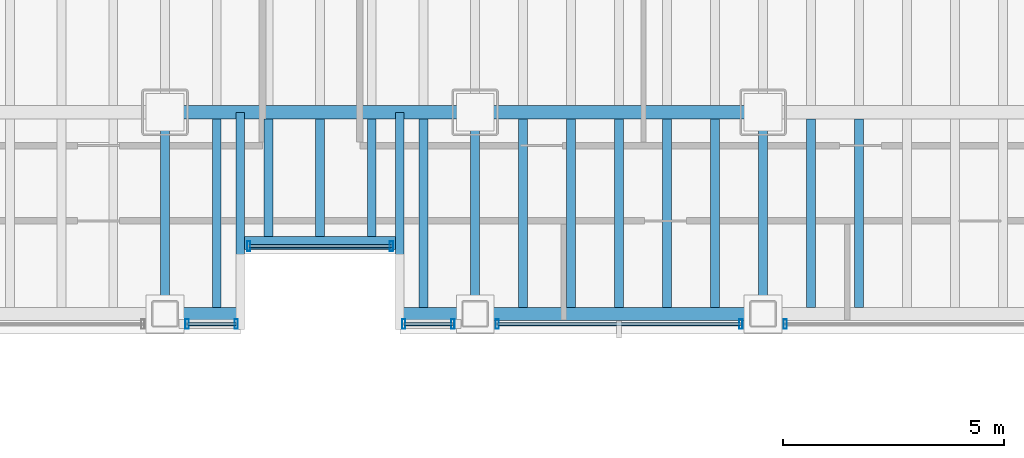
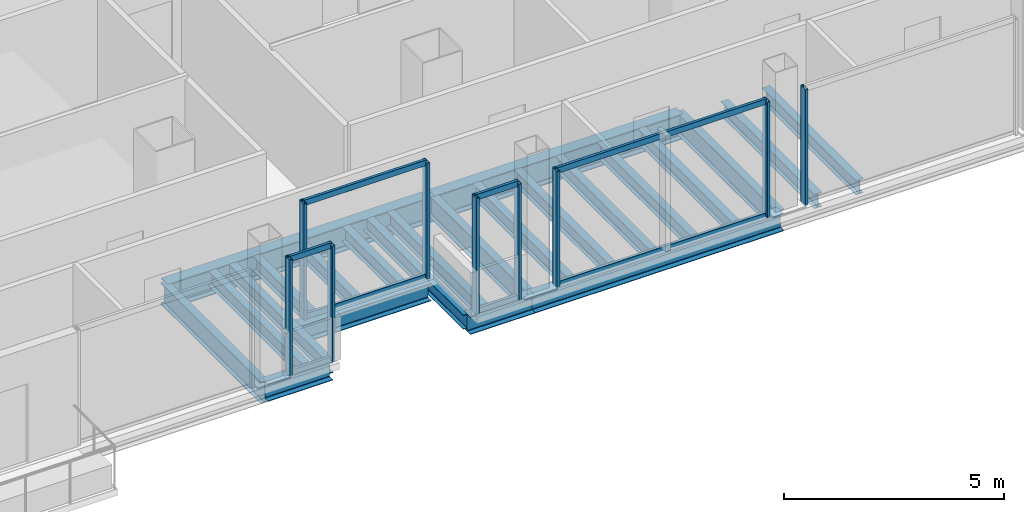
# One storey, part 4 of 20: 23 beams, 17 members, 5 elements without a shape of their own.
"""IFC4 building model written with IfcOpenShell, lengths in metres."""

from ifc_helpers import new_model, si_unit, direction, frame, origin, origin_2d, place, context, subcontext, project, spatial, hollow_rectangle, i_section, extrude, material, material_profile, profile_set, type_object, element, aggregate, save


model = new_model("IFC4")

# Units and contexts
model_context = context("Model", 3, precision=1e-05, world=origin(), true_north=direction((0.0, 1.0)))
body_context = subcontext(model_context, "Body", "Model", "MODEL_VIEW")
ifc_project = project(units=[si_unit("LENGTHUNIT", "METRE"), si_unit("AREAUNIT", "SQUARE_METRE"), si_unit("VOLUMEUNIT", "CUBIC_METRE"), si_unit("PLANEANGLEUNIT", "RADIAN"), si_unit("MASSUNIT", "GRAM", prefix="KILO")], contexts=[model_context])

# Site, building, storey
site_placement = place(None, origin())
site = spatial("IfcSite", under=ifc_project, at=site_placement, CompositionType="ELEMENT")
building_placement = place(site_placement, origin())
building = spatial("IfcBuilding", under=site, at=building_placement, Name="Noeulbin Bourse Tower", CompositionType="ELEMENT")
storey_placement = place(building_placement, frame((0.0, 0.0, 69.39990234375)))
storey = spatial("IfcBuildingStorey", under=building, at=storey_placement, Name="L17", CompositionType="ELEMENT", Elevation=69.39990234375)

# Beams
ifc_material_1 = material(Name="Steel S355", Category="steel")
ifc_material_profile_1 = material_profile(ifc_material_1, i_section(OverallWidth=0.199951171875, OverallDepth=0.60009765625, WebThickness=0.010986328125, FlangeThickness=0.01708984375, FilletRadius=0.02197265625, at=origin_2d()), Name="H-600x200x11x17", Category="LoadBearing")
ifc_profile_set_1 = profile_set([ifc_material_profile_1], Name="Steel S355")
beam_type_1 = type_object("IfcBeamType", Name="BM-GRD-600", PredefinedType="USERDEFINED", material=ifc_profile_set_1)
for number, where, z_axis, x_axis, name in (
    (1, (24.0, 15.449951171875, -0.47998046875), (0.0, 1.0, 0.0), (-1.0, 0.0, 0.0), "Tower Primary Girder NS L17-2.1"),
    (2, (31.0, 15.449951171875, -0.47998046875), (0.0, 1.0, 0.0), (-1.0, 0.0, 0.0), "Tower Primary Girder NS L17-3.1"),
    (3, (37.5, 15.449951171875, -0.47998046875), (0.0, 1.0, 0.0), (-1.0, 0.0, 0.0), "Tower Primary Girder NS L17-4.1"),
):
    element("IfcBeam", number, at=place(storey_placement, frame(where, z_axis=z_axis, x_axis=x_axis)), inside=storey, type_object=beam_type_1, Name=name, ObjectType="GIRDER", PredefinedType="USERDEFINED", context=body_context, shape_type="SweptSolid", body=[
        extrude(i_section(OverallWidth=0.199951171875, OverallDepth=0.60009765625, WebThickness=0.010986328125, FlangeThickness=0.01708984375, FilletRadius=0.02197265625, at=origin_2d()), origin(), (0.0, 0.0, 1.0), 4.550048828125),
    ])
ifc_material_profile_2 = material_profile(ifc_material_1, i_section(OverallWidth=0.300048828125, OverallDepth=0.699951171875, WebThickness=0.012939453125, FlangeThickness=0.02392578125, FilletRadius=0.02392578125, at=origin_2d()), Name="H-700x300x13x24", Category="LoadBearing")
ifc_profile_set_2 = profile_set([ifc_material_profile_2], Name="Steel S355")
beam_type_2 = type_object("IfcBeamType", Name="BM-GRD-700", PredefinedType="USERDEFINED", material=ifc_profile_set_2)
beam_1_placement = place(storey_placement, frame((24.0, 20.0, -0.52978515625), z_axis=(1.0, 0.0, 0.0), x_axis=(0.0, 1.0, 0.0)))
element("IfcBeam", 4, at=beam_1_placement, inside=storey, type_object=beam_type_2, Name="Tower Primary Girder EW L17-1.3", ObjectType="GIRDER", PredefinedType="USERDEFINED", context=body_context, shape_type="SweptSolid", body=[
    extrude(i_section(OverallWidth=0.300048828125, OverallDepth=0.699951171875, WebThickness=0.012939453125, FlangeThickness=0.02392578125, FilletRadius=0.02392578125, at=origin_2d()), origin(), (0.0, 0.0, 1.0), 7.0),
])
beam_2_placement = place(storey_placement, frame((31.0, 20.0, -0.52978515625), z_axis=(1.0, 0.0, 0.0), x_axis=(0.0, 1.0, 0.0)))
element("IfcBeam", 5, at=beam_2_placement, inside=storey, type_object=beam_type_2, Name="Tower Primary Girder EW L17-1.4", ObjectType="GIRDER", PredefinedType="USERDEFINED", context=body_context, shape_type="SweptSolid", body=[
    extrude(i_section(OverallWidth=0.300048828125, OverallDepth=0.699951171875, WebThickness=0.012939453125, FlangeThickness=0.02392578125, FilletRadius=0.02392578125, at=origin_2d()), origin(), (0.0, 0.0, 1.0), 6.5),
])
ifc_material_profile_3 = material_profile(ifc_material_1, i_section(OverallWidth=0.199951171875, OverallDepth=0.39990234375, WebThickness=0.008056640625, FlangeThickness=0.012939453125, FilletRadius=0.01611328125, at=origin_2d()), Name="H-400x200x8x13", Category="LoadBearing")
ifc_profile_set_3 = profile_set([ifc_material_profile_3], Name="Steel S355")
beam_type_3 = type_object("IfcBeamType", Name="BM-SEC-400", PredefinedType="BEAM", material=ifc_profile_set_3)
for number, where, z_axis, x_axis, name in (
    (6, (25.699951171875, 15.449951171875, -0.3798828125), (0.0, 1.0, 0.0), (-1.0, 0.0, 0.0), "BM-L17-SRT-W"),
    (7, (29.300048828125, 15.449951171875, -0.3798828125), (0.0, 1.0, 0.0), (-1.0, 0.0, 0.0), "BM-L17-SRT-E"),
):
    element("IfcBeam", number, at=place(storey_placement, frame(where, z_axis=z_axis, x_axis=x_axis)), inside=storey, type_object=beam_type_3, Name=name, PredefinedType="BEAM", context=body_context, shape_type="SweptSolid", body=[
        extrude(i_section(OverallWidth=0.199951171875, OverallDepth=0.39990234375, WebThickness=0.008056640625, FlangeThickness=0.012939453125, FilletRadius=0.01611328125, at=origin_2d()), origin(), (0.0, 0.0, 1.0), 4.550048828125),
    ])
beam_3_placement = place(storey_placement, frame((25.166748046875, 15.60009765625, -0.3798828125), z_axis=(0.0, 1.0, 0.0), x_axis=(-1.0, 0.0, 0.0)))
element("IfcBeam", 8, at=beam_3_placement, inside=storey, type_object=beam_type_3, Name="Tower Composite Joist L17-25", PredefinedType="BEAM", context=body_context, shape_type="SweptSolid", body=[
    extrude(i_section(OverallWidth=0.199951171875, OverallDepth=0.39990234375, WebThickness=0.008056640625, FlangeThickness=0.012939453125, FilletRadius=0.01611328125, at=origin_2d()), origin(), (0.0, 0.0, 1.0), 4.25),
])
for number, where, z_axis, x_axis, name in (
    (9, (26.333251953125, 17.199951171875, -0.3798828125), (0.0, 1.0, 0.0), (-1.0, 0.0, 0.0), "Tower Composite Joist L17-28"),
    (10, (27.5, 17.199951171875, -0.3798828125), (0.0, 1.0, 0.0), (-1.0, 0.0, 0.0), "Tower Composite Joist L17-31"),
    (11, (28.666748046875, 17.199951171875, -0.3798828125), (0.0, 1.0, 0.0), (-1.0, 0.0, 0.0), "Tower Composite Joist L17-34"),
):
    element("IfcBeam", number, at=place(storey_placement, frame(where, z_axis=z_axis, x_axis=x_axis)), inside=storey, type_object=beam_type_3, Name=name, PredefinedType="BEAM", context=body_context, shape_type="SweptSolid", body=[
        extrude(i_section(OverallWidth=0.199951171875, OverallDepth=0.39990234375, WebThickness=0.008056640625, FlangeThickness=0.012939453125, FilletRadius=0.01611328125, at=origin_2d()), origin(), (0.0, 0.0, 1.0), 2.650146484375),
    ])
for number, where, z_axis, x_axis, name in (
    (12, (29.833251953125, 15.60009765625, -0.3798828125), (0.0, 1.0, 0.0), (-1.0, 0.0, 0.0), "Tower Composite Joist L17-37"),
    (13, (32.083251953125, 15.60009765625, -0.3798828125), (0.0, 1.0, 0.0), (-1.0, 0.0, 0.0), "Tower Composite Joist L17-40"),
    (14, (33.166748046875, 15.60009765625, -0.3798828125), (0.0, 1.0, 0.0), (-1.0, 0.0, 0.0), "Tower Composite Joist L17-43"),
    (15, (34.25, 15.60009765625, -0.3798828125), (0.0, 1.0, 0.0), (-1.0, 0.0, 0.0), "Tower Composite Joist L17-46"),
    (16, (35.333251953125, 15.60009765625, -0.3798828125), (0.0, 1.0, 0.0), (-1.0, 0.0, 0.0), "Tower Composite Joist L17-49"),
    (17, (36.416748046875, 15.60009765625, -0.3798828125), (0.0, 1.0, 0.0), (-1.0, 0.0, 0.0), "Tower Composite Joist L17-52"),
    (18, (38.583251953125, 15.60009765625, -0.3798828125), (0.0, 1.0, 0.0), (-1.0, 0.0, 0.0), "Tower Composite Joist L17-55"),
    (19, (39.666748046875, 15.60009765625, -0.3798828125), (0.0, 1.0, 0.0), (-1.0, 0.0, 0.0), "Tower Composite Joist L17-58"),
):
    element("IfcBeam", number, at=place(storey_placement, frame(where, z_axis=z_axis, x_axis=x_axis)), inside=storey, type_object=beam_type_3, Name=name, PredefinedType="BEAM", context=body_context, shape_type="SweptSolid", body=[
        extrude(i_section(OverallWidth=0.199951171875, OverallDepth=0.39990234375, WebThickness=0.008056640625, FlangeThickness=0.012939453125, FilletRadius=0.01611328125, at=origin_2d()), origin(), (0.0, 0.0, 1.0), 4.25),
    ])
ifc_material_profile_4 = material_profile(ifc_material_1, i_section(OverallWidth=0.300048828125, OverallDepth=0.488037109375, WebThickness=0.010986328125, FlangeThickness=0.01806640625, FilletRadius=0.02197265625, at=origin_2d()), Name="H-488x300x11x18", Category="LoadBearing")
ifc_profile_set_4 = profile_set([ifc_material_profile_4], Name="Steel S355")
beam_type_4 = type_object("IfcBeamType", Name="BM-SPN-488", PredefinedType="SPANDREL", material=ifc_profile_set_4)
beam_4_placement = place(storey_placement, frame((25.800048828125, 17.050048828125, -0.423828125), z_axis=(1.0, 0.0, 0.0), x_axis=(0.0, 1.0, 0.0)))
element("IfcBeam", 20, at=beam_4_placement, inside=storey, type_object=beam_type_4, Name="South Recess Spandrel L17-2B", PredefinedType="SPANDREL", context=body_context, shape_type="SweptSolid", body=[
    extrude(i_section(OverallWidth=0.300048828125, OverallDepth=0.488037109375, WebThickness=0.010986328125, FlangeThickness=0.01806640625, FilletRadius=0.02197265625, at=origin_2d()), origin(), (0.0, 0.0, 1.0), 3.39990234375),
])
for number, where, z_axis, x_axis, name in (
    (21, (24.0, 15.449951171875, -0.423828125), (1.0, 0.0, 0.0), (0.0, 1.0, 0.0), "South Spandrel L17-2A"),
    (22, (29.300048828125, 15.449951171875, -0.423828125), (1.0, 0.0, 0.0), (0.0, 1.0, 0.0), "South Spandrel L17-2C"),
):
    element("IfcBeam", number, at=place(storey_placement, frame(where, z_axis=z_axis, x_axis=x_axis)), inside=storey, type_object=beam_type_4, Name=name, PredefinedType="SPANDREL", context=body_context, shape_type="SweptSolid", body=[
        extrude(i_section(OverallWidth=0.300048828125, OverallDepth=0.488037109375, WebThickness=0.010986328125, FlangeThickness=0.01806640625, FilletRadius=0.02197265625, at=origin_2d()), origin(), (0.0, 0.0, 1.0), 1.699951171875),
    ])
beam_5_placement = place(storey_placement, frame((31.0, 15.449951171875, -0.423828125), z_axis=(1.0, 0.0, 0.0), x_axis=(0.0, 1.0, 0.0)))
element("IfcBeam", 23, at=beam_5_placement, inside=storey, type_object=beam_type_4, Name="South Spandrel L17-3", PredefinedType="SPANDREL", context=body_context, shape_type="SweptSolid", body=[
    extrude(i_section(OverallWidth=0.300048828125, OverallDepth=0.488037109375, WebThickness=0.010986328125, FlangeThickness=0.01806640625, FilletRadius=0.02197265625, at=origin_2d()), origin(), (0.0, 0.0, 1.0), 6.5),
])

# Curtain wall, members
ifc_material_2 = material(Name="Dark Solar-Control Double Glazing", Category="glass")
curtain_wall_type = type_object("IfcCurtainWallType", Name="CW-SYS-2", PredefinedType="NOTDEFINED", material=ifc_material_2)
curtain_wall_1_placement = place(storey_placement, origin())
curtain_wall_1 = element("IfcCurtainWall", 24, at=curtain_wall_1_placement, inside=storey, type_object=curtain_wall_type, Name="Unitised Curtain Wall CW-L17-SREC", PredefinedType="NOTDEFINED")
ifc_material_3 = material(Name="Anodised Aluminium 6063-T6", Category="aluminium")
ifc_material_profile_5 = material_profile(ifc_material_3, hollow_rectangle(XDim=0.074951171875, YDim=0.219970703125, WallThickness=0.0048828125, InnerFilletRadius=0.00244140625, OuterFilletRadius=0.0048828125, at=origin_2d()), Name="ALU-MULL-75x220x5", Category="LoadBearing")
ifc_profile_set_5 = profile_set([ifc_material_profile_5], Name="Anodised Aluminium 6063-T6")
member_type_1 = type_object("IfcMemberType", Name="CW-SYS-2-MUL", PredefinedType="MULLION", material=ifc_profile_set_5)
member_1_placement = place(storey_placement, frame((25.889892578125, 16.97998046875, -0.02001953125), z_axis=(0.0, 0.0, 1.0), x_axis=(1.0, 0.0, 0.0)))
member_1 = element("IfcMember", 25, at=member_1_placement, type_object=member_type_1, Name="Curtain Wall Mullion CW-L17-SREC-M00", PredefinedType="MULLION", context=body_context, shape_type="SweptSolid", body=[
    extrude(hollow_rectangle(XDim=0.074951171875, YDim=0.219970703125, WallThickness=0.0048828125, InnerFilletRadius=0.00244140625, OuterFilletRadius=0.0048828125, at=origin_2d()), origin(), (0.0, 0.0, 1.0), 3.22021484375),
])
member_2_placement = place(storey_placement, frame((29.110107421875, 16.97998046875, -0.02001953125), z_axis=(0.0, 0.0, 1.0), x_axis=(1.0, 0.0, 0.0)))
member_2 = element("IfcMember", 26, at=member_2_placement, type_object=member_type_1, Name="Curtain Wall Mullion CW-L17-SREC-M01", PredefinedType="MULLION", context=body_context, shape_type="SweptSolid", body=[
    extrude(hollow_rectangle(XDim=0.074951171875, YDim=0.219970703125, WallThickness=0.0048828125, InnerFilletRadius=0.00244140625, OuterFilletRadius=0.0048828125, at=origin_2d()), origin(), (0.0, 0.0, 1.0), 3.22021484375),
])

curtain_wall_2_placement = place(storey_placement, origin())
curtain_wall_2 = element("IfcCurtainWall", 27, at=curtain_wall_2_placement, inside=storey, type_object=curtain_wall_type, Name="Unitised Curtain Wall CW-L17-S2-S2", PredefinedType="NOTDEFINED")
member_3_placement = place(storey_placement, frame((24.5, 15.219970703125, -0.02001953125), z_axis=(0.0, 0.0, 1.0), x_axis=(1.0, 0.0, 0.0)))
member_3 = element("IfcMember", 28, at=member_3_placement, type_object=member_type_1, Name="Curtain Wall Mullion CW-L17-S2-S2-M00", PredefinedType="MULLION", context=body_context, shape_type="SweptSolid", body=[
    extrude(hollow_rectangle(XDim=0.074951171875, YDim=0.219970703125, WallThickness=0.0048828125, InnerFilletRadius=0.00244140625, OuterFilletRadius=0.0048828125, at=origin_2d()), origin(), (0.0, 0.0, 1.0), 3.22021484375),
])
member_4_placement = place(storey_placement, frame((25.610107421875, 15.219970703125, -0.02001953125), z_axis=(0.0, 0.0, 1.0), x_axis=(1.0, 0.0, 0.0)))
member_4 = element("IfcMember", 29, at=member_4_placement, type_object=member_type_1, Name="Curtain Wall Mullion CW-L17-S2-S2-M01", PredefinedType="MULLION", context=body_context, shape_type="SweptSolid", body=[
    extrude(hollow_rectangle(XDim=0.074951171875, YDim=0.219970703125, WallThickness=0.0048828125, InnerFilletRadius=0.00244140625, OuterFilletRadius=0.0048828125, at=origin_2d()), origin(), (0.0, 0.0, 1.0), 3.22021484375),
])

curtain_wall_3_placement = place(storey_placement, origin())
curtain_wall_3 = element("IfcCurtainWall", 30, at=curtain_wall_3_placement, inside=storey, type_object=curtain_wall_type, Name="Unitised Curtain Wall CW-L17-S3-S1", PredefinedType="NOTDEFINED")
member_5_placement = place(storey_placement, frame((29.389892578125, 15.219970703125, -0.02001953125), z_axis=(0.0, 0.0, 1.0), x_axis=(1.0, 0.0, 0.0)))
member_5 = element("IfcMember", 31, at=member_5_placement, type_object=member_type_1, Name="Curtain Wall Mullion CW-L17-S3-S1-M00", PredefinedType="MULLION", context=body_context, shape_type="SweptSolid", body=[
    extrude(hollow_rectangle(XDim=0.074951171875, YDim=0.219970703125, WallThickness=0.0048828125, InnerFilletRadius=0.00244140625, OuterFilletRadius=0.0048828125, at=origin_2d()), origin(), (0.0, 0.0, 1.0), 3.22021484375),
])
member_6_placement = place(storey_placement, frame((30.5, 15.219970703125, -0.02001953125), z_axis=(0.0, 0.0, 1.0), x_axis=(1.0, 0.0, 0.0)))
member_6 = element("IfcMember", 32, at=member_6_placement, type_object=member_type_1, Name="Curtain Wall Mullion CW-L17-S3-S1-M01", PredefinedType="MULLION", context=body_context, shape_type="SweptSolid", body=[
    extrude(hollow_rectangle(XDim=0.074951171875, YDim=0.219970703125, WallThickness=0.0048828125, InnerFilletRadius=0.00244140625, OuterFilletRadius=0.0048828125, at=origin_2d()), origin(), (0.0, 0.0, 1.0), 3.22021484375),
])

curtain_wall_4_placement = place(storey_placement, origin())
curtain_wall_4 = element("IfcCurtainWall", 33, at=curtain_wall_4_placement, inside=storey, type_object=curtain_wall_type, Name="Unitised Curtain Wall CW-L17-S3-S2", PredefinedType="NOTDEFINED")
member_7_placement = place(storey_placement, frame((31.5, 15.219970703125, -0.02001953125), z_axis=(0.0, 0.0, 1.0), x_axis=(1.0, 0.0, 0.0)))
member_7 = element("IfcMember", 34, at=member_7_placement, type_object=member_type_1, Name="Curtain Wall Mullion CW-L17-S3-S2-M00", PredefinedType="MULLION", context=body_context, shape_type="SweptSolid", body=[
    extrude(hollow_rectangle(XDim=0.074951171875, YDim=0.219970703125, WallThickness=0.0048828125, InnerFilletRadius=0.00244140625, OuterFilletRadius=0.0048828125, at=origin_2d()), origin(), (0.0, 0.0, 1.0), 3.22021484375),
])
member_8_placement = place(storey_placement, frame((37.0, 15.219970703125, -0.02001953125), z_axis=(0.0, 0.0, 1.0), x_axis=(1.0, 0.0, 0.0)))
member_8 = element("IfcMember", 35, at=member_8_placement, type_object=member_type_1, Name="Curtain Wall Mullion CW-L17-S3-S2-M01", PredefinedType="MULLION", context=body_context, shape_type="SweptSolid", body=[
    extrude(hollow_rectangle(XDim=0.074951171875, YDim=0.219970703125, WallThickness=0.0048828125, InnerFilletRadius=0.00244140625, OuterFilletRadius=0.0048828125, at=origin_2d()), origin(), (0.0, 0.0, 1.0), 3.22021484375),
])

# Curtain wall, member
curtain_wall_5_placement = place(storey_placement, origin())
curtain_wall_5 = element("IfcCurtainWall", 36, at=curtain_wall_5_placement, inside=storey, type_object=curtain_wall_type, Name="Unitised Curtain Wall CW-L17-S3-S3", PredefinedType="NOTDEFINED")
member_9_placement = place(storey_placement, frame((38.0, 15.219970703125, -0.02001953125), z_axis=(0.0, 0.0, 1.0), x_axis=(1.0, 0.0, 0.0)))
member_9 = element("IfcMember", 37, at=member_9_placement, type_object=member_type_1, Name="Curtain Wall Mullion CW-L17-S3-S3-M00", PredefinedType="MULLION", context=body_context, shape_type="SweptSolid", body=[
    extrude(hollow_rectangle(XDim=0.074951171875, YDim=0.219970703125, WallThickness=0.0048828125, InnerFilletRadius=0.00244140625, OuterFilletRadius=0.0048828125, at=origin_2d()), origin(), (0.0, 0.0, 1.0), 3.22021484375),
])
aggregate(curtain_wall_5, [member_9])

# Member
ifc_material_profile_6 = material_profile(ifc_material_3, hollow_rectangle(XDim=0.074951171875, YDim=0.159912109375, WallThickness=0.0048828125, InnerFilletRadius=0.00244140625, OuterFilletRadius=0.0048828125, at=origin_2d()), Name="ALU-TRAN-75x160x5", Category="LoadBearing")
ifc_profile_set_6 = profile_set([ifc_material_profile_6], Name="Anodised Aluminium 6063-T6")
member_type_2 = type_object("IfcMemberType", Name="CW-SYS-2-TRN", PredefinedType="USERDEFINED", material=ifc_profile_set_6)
member_10_placement = place(storey_placement, frame((25.89990234375, 16.97998046875, 0.010009765625), z_axis=(1.0, 0.0, 0.0), x_axis=(0.0, 1.0, 0.0)))
member_10 = element("IfcMember", 38, at=member_10_placement, type_object=member_type_2, Name="Curtain Wall Transom CW-L17-SREC-T00", ObjectType="TRANSOM", PredefinedType="USERDEFINED", context=body_context, shape_type="SweptSolid", body=[
    extrude(hollow_rectangle(XDim=0.074951171875, YDim=0.159912109375, WallThickness=0.0048828125, InnerFilletRadius=0.00244140625, OuterFilletRadius=0.0048828125, at=origin_2d()), origin(), (0.0, 0.0, 1.0), 3.2001953125),
])

member_11_placement = place(storey_placement, frame((25.89990234375, 16.97998046875, 3.170166015625), z_axis=(1.0, 0.0, 0.0), x_axis=(0.0, 1.0, 0.0)))
member_11 = element("IfcMember", 39, at=member_11_placement, type_object=member_type_2, Name="Curtain Wall Transom CW-L17-SREC-T01", ObjectType="TRANSOM", PredefinedType="USERDEFINED", context=body_context, shape_type="SweptSolid", body=[
    extrude(hollow_rectangle(XDim=0.074951171875, YDim=0.159912109375, WallThickness=0.0048828125, InnerFilletRadius=0.00244140625, OuterFilletRadius=0.0048828125, at=origin_2d()), origin(), (0.0, 0.0, 1.0), 3.2001953125),
])

aggregate(curtain_wall_1, [member_1, member_2, member_10, member_11])

member_12_placement = place(storey_placement, frame((24.510009765625, 15.219970703125, 0.010009765625), z_axis=(1.0, 0.0, 0.0), x_axis=(0.0, 1.0, 0.0)))
member_12 = element("IfcMember", 40, at=member_12_placement, type_object=member_type_2, Name="Curtain Wall Transom CW-L17-S2-S2-T00", ObjectType="TRANSOM", PredefinedType="USERDEFINED", context=body_context, shape_type="SweptSolid", body=[
    extrude(hollow_rectangle(XDim=0.074951171875, YDim=0.159912109375, WallThickness=0.0048828125, InnerFilletRadius=0.00244140625, OuterFilletRadius=0.0048828125, at=origin_2d()), origin(), (0.0, 0.0, 1.0), 1.090087890625),
])

member_13_placement = place(storey_placement, frame((24.510009765625, 15.219970703125, 3.170166015625), z_axis=(1.0, 0.0, 0.0), x_axis=(0.0, 1.0, 0.0)))
member_13 = element("IfcMember", 41, at=member_13_placement, type_object=member_type_2, Name="Curtain Wall Transom CW-L17-S2-S2-T01", ObjectType="TRANSOM", PredefinedType="USERDEFINED", context=body_context, shape_type="SweptSolid", body=[
    extrude(hollow_rectangle(XDim=0.074951171875, YDim=0.159912109375, WallThickness=0.0048828125, InnerFilletRadius=0.00244140625, OuterFilletRadius=0.0048828125, at=origin_2d()), origin(), (0.0, 0.0, 1.0), 1.090087890625),
])

aggregate(curtain_wall_2, [member_3, member_4, member_12, member_13])

member_14_placement = place(storey_placement, frame((29.39990234375, 15.219970703125, 0.010009765625), z_axis=(1.0, 0.0, 0.0), x_axis=(0.0, 1.0, 0.0)))
member_14 = element("IfcMember", 42, at=member_14_placement, type_object=member_type_2, Name="Curtain Wall Transom CW-L17-S3-S1-T00", ObjectType="TRANSOM", PredefinedType="USERDEFINED", context=body_context, shape_type="SweptSolid", body=[
    extrude(hollow_rectangle(XDim=0.074951171875, YDim=0.159912109375, WallThickness=0.0048828125, InnerFilletRadius=0.00244140625, OuterFilletRadius=0.0048828125, at=origin_2d()), origin(), (0.0, 0.0, 1.0), 1.090087890625),
])

member_15_placement = place(storey_placement, frame((29.39990234375, 15.219970703125, 3.170166015625), z_axis=(1.0, 0.0, 0.0), x_axis=(0.0, 1.0, 0.0)))
member_15 = element("IfcMember", 43, at=member_15_placement, type_object=member_type_2, Name="Curtain Wall Transom CW-L17-S3-S1-T01", ObjectType="TRANSOM", PredefinedType="USERDEFINED", context=body_context, shape_type="SweptSolid", body=[
    extrude(hollow_rectangle(XDim=0.074951171875, YDim=0.159912109375, WallThickness=0.0048828125, InnerFilletRadius=0.00244140625, OuterFilletRadius=0.0048828125, at=origin_2d()), origin(), (0.0, 0.0, 1.0), 1.090087890625),
])

aggregate(curtain_wall_3, [member_5, member_6, member_14, member_15])

member_16_placement = place(storey_placement, frame((31.510009765625, 15.219970703125, 0.010009765625), z_axis=(1.0, 0.0, 0.0), x_axis=(0.0, 1.0, 0.0)))
member_16 = element("IfcMember", 44, at=member_16_placement, type_object=member_type_2, Name="Curtain Wall Transom CW-L17-S3-S2-T00", ObjectType="TRANSOM", PredefinedType="USERDEFINED", context=body_context, shape_type="SweptSolid", body=[
    extrude(hollow_rectangle(XDim=0.074951171875, YDim=0.159912109375, WallThickness=0.0048828125, InnerFilletRadius=0.00244140625, OuterFilletRadius=0.0048828125, at=origin_2d()), origin(), (0.0, 0.0, 1.0), 5.47998046875),
])

member_17_placement = place(storey_placement, frame((31.510009765625, 15.219970703125, 3.170166015625), z_axis=(1.0, 0.0, 0.0), x_axis=(0.0, 1.0, 0.0)))
member_17 = element("IfcMember", 45, at=member_17_placement, type_object=member_type_2, Name="Curtain Wall Transom CW-L17-S3-S2-T01", ObjectType="TRANSOM", PredefinedType="USERDEFINED", context=body_context, shape_type="SweptSolid", body=[
    extrude(hollow_rectangle(XDim=0.074951171875, YDim=0.159912109375, WallThickness=0.0048828125, InnerFilletRadius=0.00244140625, OuterFilletRadius=0.0048828125, at=origin_2d()), origin(), (0.0, 0.0, 1.0), 5.47998046875),
])

aggregate(curtain_wall_4, [member_7, member_8, member_16, member_17])

save(model, "model.ifc")
